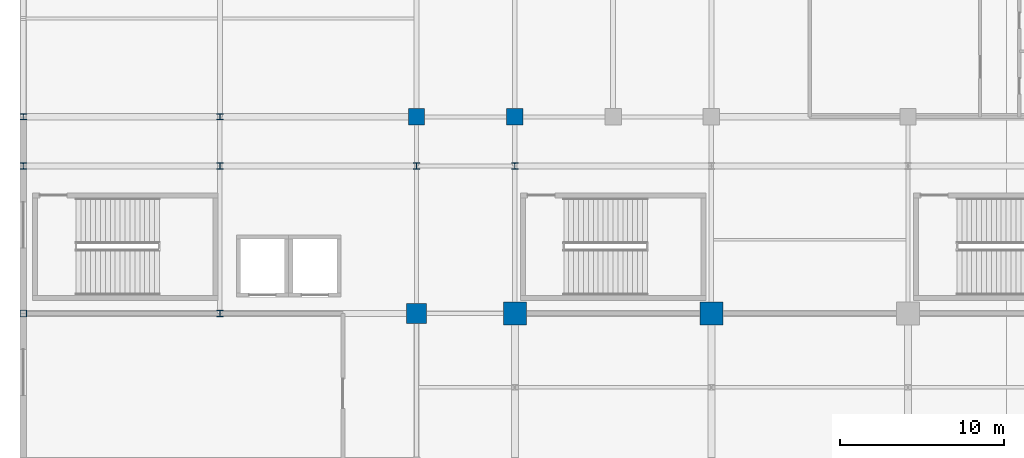
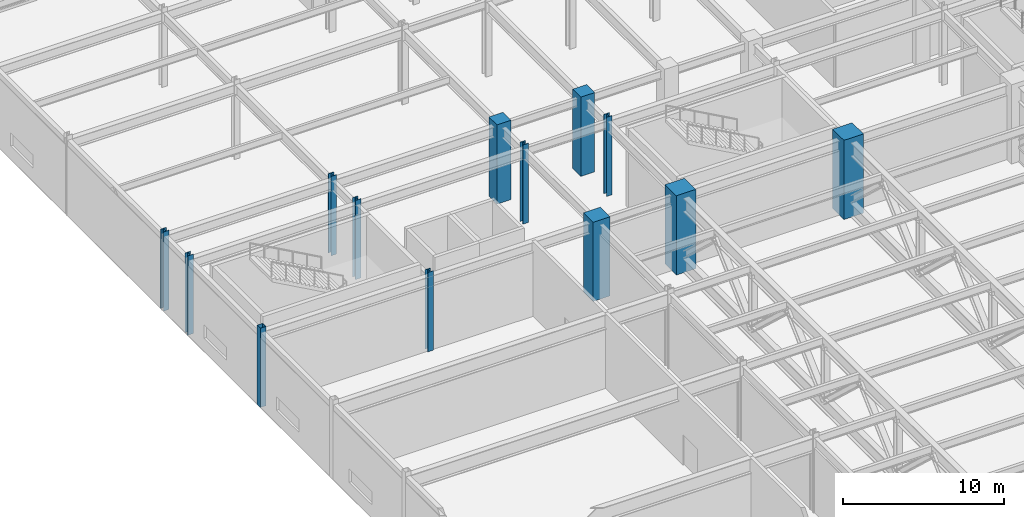
# One storey, part 7 of 108: 13 columns.
"""IFC4 building model written with IfcOpenShell, lengths in metres."""

from ifc_helpers import new_model, si_unit, direction, frame, origin, origin_2d, place, context, subcontext, project, spatial, rectangle, hollow_rectangle, i_section, extrude, material, material_profile, profile_set, type_object, element, save


model = new_model("IFC4")

# Units and contexts
model_context = context("Model", 3, precision=1e-05, world=origin(), true_north=direction((0.0, 1.0)))
body_context = subcontext(model_context, "Body", "Model", "MODEL_VIEW")
ifc_project = project(units=[si_unit("LENGTHUNIT", "METRE"), si_unit("AREAUNIT", "SQUARE_METRE"), si_unit("VOLUMEUNIT", "CUBIC_METRE"), si_unit("PLANEANGLEUNIT", "RADIAN"), si_unit("MASSUNIT", "GRAM", prefix="KILO")], contexts=[model_context])

# Site, building, storey
site_placement = place(None, origin())
site = spatial("IfcSite", under=ifc_project, at=site_placement, CompositionType="ELEMENT")
building_placement = place(site_placement, origin())
building = spatial("IfcBuilding", under=site, at=building_placement, Name="Kaldorvane Square Convention Centre", CompositionType="ELEMENT")
storey_placement = place(building_placement, frame((0.0, 0.0, 12.0)))
storey = spatial("IfcBuildingStorey", under=building, at=storey_placement, Name="L02", CompositionType="ELEMENT", Elevation=12.0)

# Columns
ifc_material_1 = material(Name="Steel ASTM A500 Gr. C", Category="steel")
ifc_material_profile_1 = material_profile(ifc_material_1, hollow_rectangle(XDim=0.406402587890625, YDim=0.406402587890625, WallThickness=0.014801025390625, at=origin_2d()), Name="HSS16X16X5/8")
ifc_profile_set_1 = profile_set([ifc_material_profile_1], Name="Steel ASTM A500 Gr. C")
column_type_1 = type_object("IfcColumnType", Name="COL-HSS-16", PredefinedType="COLUMN", material=ifc_profile_set_1)
column_1_placement = place(storey_placement, frame((0.0, 72.0, 0.0), z_axis=(0.0, 0.0, 1.0), x_axis=(1.0, 0.0, 0.0)))
element("IfcColumn", 1, at=column_1_placement, inside=storey, type_object=column_type_1, Name="Column SC-14 (L02)", PredefinedType="COLUMN", context=body_context, shape_type="SweptSolid", body=[
    extrude(hollow_rectangle(XDim=0.406402587890625, YDim=0.406402587890625, WallThickness=0.014801025390625, at=origin_2d()), origin(), (0.0, 0.0, 1.0), 6.0),
])
ifc_material_2 = material(Name="Concrete f'c = 55 MPa (Normalweight)", Category="concrete")
ifc_material_profile_2 = material_profile(ifc_material_2, rectangle(XDim=1.1999969482421875, YDim=1.1999969482421875, at=origin_2d()), Name="RC1200X1200")
ifc_profile_set_2 = profile_set([ifc_material_profile_2], Name="Concrete f'c = 55 MPa (Normalweight)")
column_type_2 = type_object("IfcColumnType", Name="COL-MEGA-1200", PredefinedType="COLUMN", material=ifc_profile_set_2)
column_2_placement = place(storey_placement, frame((24.0, 72.0, 0.0), z_axis=(0.0, 0.0, 1.0), x_axis=(1.0, 0.0, 0.0)))
element("IfcColumn", 2, at=column_2_placement, inside=storey, type_object=column_type_2, Name="Column MC-02 (L02)", PredefinedType="COLUMN", context=body_context, shape_type="SweptSolid", body=[
    extrude(rectangle(XDim=1.1999969482421875, YDim=1.1999969482421875, at=origin_2d()), origin(), (0.0, 0.0, 1.0), 6.0),
])
ifc_material_profile_3 = material_profile(ifc_material_2, rectangle(XDim=1.399993896484375, YDim=1.399993896484375, at=origin_2d()), Name="RC1400X1400")
ifc_profile_set_3 = profile_set([ifc_material_profile_3], Name="Concrete f'c = 55 MPa (Normalweight)")
column_type_3 = type_object("IfcColumnType", Name="COL-MEGA-1400", PredefinedType="COLUMN", material=ifc_profile_set_3)
for number, where, z_axis, x_axis, name in (
    (3, (30.0, 72.0, 0.0), (0.0, 0.0, 1.0), (1.0, 0.0, 0.0), "Column MC-01 (L02)"),
    (4, (42.0, 72.0, 0.0), (0.0, 0.0, 1.0), (1.0, 0.0, 0.0), "Column MC-01 (L02)"),
):
    element("IfcColumn", number, at=place(storey_placement, frame(where, z_axis=z_axis, x_axis=x_axis)), inside=storey, type_object=column_type_3, Name=name, PredefinedType="COLUMN", context=body_context, shape_type="SweptSolid", body=[
        extrude(rectangle(XDim=1.399993896484375, YDim=1.399993896484375, at=origin_2d()), origin(), (0.0, 0.0, 1.0), 6.0),
    ])
ifc_material_profile_4 = material_profile(ifc_material_2, rectangle(XDim=1.0, YDim=1.0, at=origin_2d()), Name="RC1000X1000")
ifc_profile_set_4 = profile_set([ifc_material_profile_4], Name="Concrete f'c = 55 MPa (Normalweight)")
column_type_4 = type_object("IfcColumnType", Name="COL-RC-1000", PredefinedType="COLUMN", material=ifc_profile_set_4)
for number, where, z_axis, x_axis, name in (
    (5, (24.0, 84.0, 0.0), (0.0, 0.0, 1.0), (1.0, 0.0, 0.0), "Column CC-02 (L02)"),
    (6, (30.0, 84.0, 0.0), (0.0, 0.0, 1.0), (1.0, 0.0, 0.0), "Column CC-02 (L02)"),
):
    element("IfcColumn", number, at=place(storey_placement, frame(where, z_axis=z_axis, x_axis=x_axis)), inside=storey, type_object=column_type_4, Name=name, PredefinedType="COLUMN", context=body_context, shape_type="SweptSolid", body=[
        extrude(rectangle(XDim=1.0, YDim=1.0, at=origin_2d()), origin(), (0.0, 0.0, 1.0), 6.0),
    ])
ifc_material_3 = material(Name="Steel ASTM A992 Gr. 50", Category="steel")
ifc_material_profile_5 = material_profile(ifc_material_3, i_section(OverallWidth=0.393707275390625, OverallDepth=0.375396728515625, WebThickness=0.017303466796875, FlangeThickness=0.0276947021484375, FilletRadius=0.0305023193359375, at=origin_2d()), Name="W14X145")
ifc_profile_set_5 = profile_set([ifc_material_profile_5], Name="Steel ASTM A992 Gr. 50")
column_type_5 = type_object("IfcColumnType", Name="COL-STL-145", PredefinedType="COLUMN", material=ifc_profile_set_5)
for number, where, z_axis, x_axis, name in (
    (7, (0.0, 81.0, 0.0), (0.0, 0.0, 1.0), (1.0, 0.0, 0.0), "Column SC-10 (L02)"),
    (8, (0.0, 84.0, 0.0), (0.0, 0.0, 1.0), (1.0, 0.0, 0.0), "Column SC-10 (L02)"),
    (9, (12.0, 72.0, 0.0), (0.0, 0.0, 1.0), (1.0, 0.0, 0.0), "Column SC-10 (L02)"),
    (10, (12.0, 81.0, 0.0), (0.0, 0.0, 1.0), (1.0, 0.0, 0.0), "Column SC-10 (L02)"),
    (11, (12.0, 84.0, 0.0), (0.0, 0.0, 1.0), (1.0, 0.0, 0.0), "Column SC-10 (L02)"),
    (12, (24.0, 81.0, 0.0), (0.0, 0.0, 1.0), (1.0, 0.0, 0.0), "Column SC-10 (L02)"),
    (13, (30.0, 81.0, 0.0), (0.0, 0.0, 1.0), (1.0, 0.0, 0.0), "Column SC-10 (L02)"),
):
    element("IfcColumn", number, at=place(storey_placement, frame(where, z_axis=z_axis, x_axis=x_axis)), inside=storey, type_object=column_type_5, Name=name, PredefinedType="COLUMN", context=body_context, shape_type="SweptSolid", body=[
        extrude(i_section(OverallWidth=0.393707275390625, OverallDepth=0.375396728515625, WebThickness=0.017303466796875, FlangeThickness=0.0276947021484375, FilletRadius=0.0305023193359375, at=origin_2d()), origin(), (0.0, 0.0, 1.0), 6.0),
    ])

save(model, "model.ifc")
